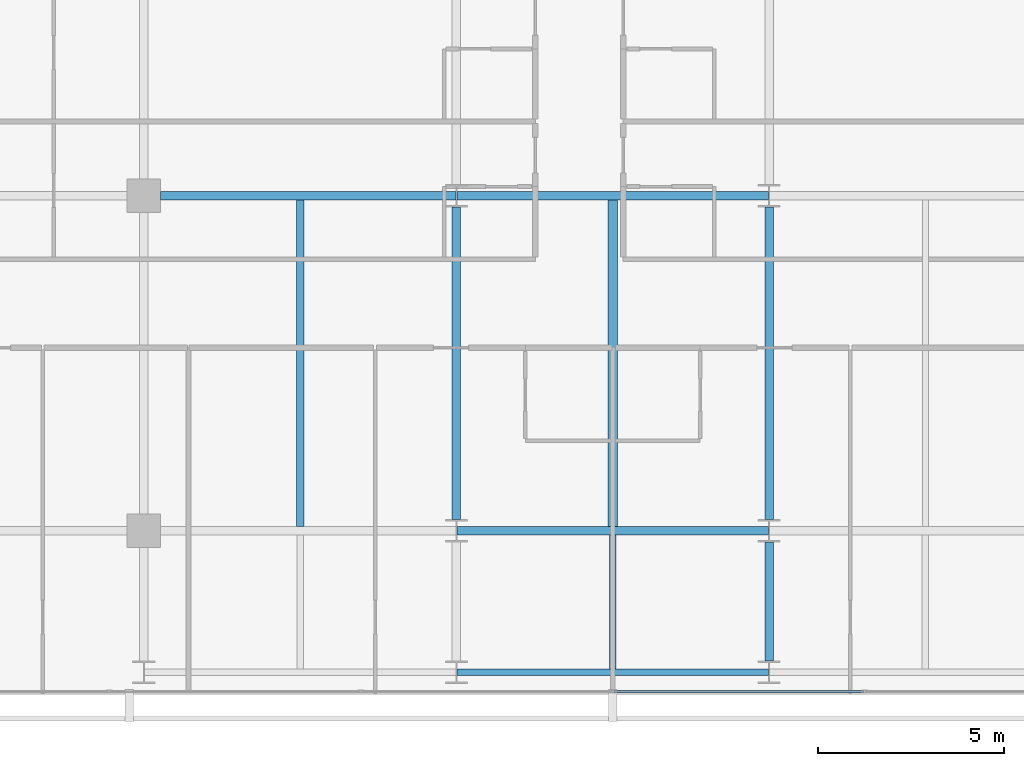
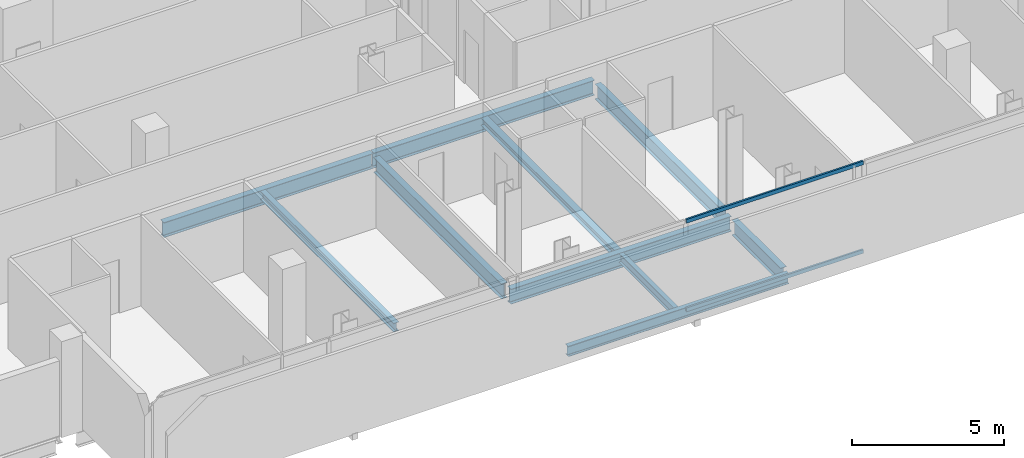
# One storey, part 7 of 34: 10 beams, 2 members, 1 element without a shape of its own.
"""IFC4 building model written with IfcOpenShell, lengths in metres."""

from ifc_helpers import new_model, si_unit, direction, frame, origin, origin_2d, place, context, subcontext, project, spatial, hollow_rectangle, i_section, extrude, material, layer, layer_set, material_profile, profile_set, type_object, element, aggregate, save


model = new_model("IFC4")

# Units and contexts
model_context = context("Model", 3, precision=1e-05, world=origin(), true_north=direction((0.0, 1.0)))
body_context = subcontext(model_context, "Body", "Model", "MODEL_VIEW")
ifc_project = project(units=[si_unit("LENGTHUNIT", "METRE"), si_unit("AREAUNIT", "SQUARE_METRE"), si_unit("VOLUMEUNIT", "CUBIC_METRE"), si_unit("PLANEANGLEUNIT", "RADIAN"), si_unit("MASSUNIT", "GRAM", prefix="KILO")], contexts=[model_context])

# Site, building, storey
site_placement = place(None, origin())
site = spatial("IfcSite", under=ifc_project, at=site_placement, CompositionType="ELEMENT")
building_placement = place(site_placement, origin())
building = spatial("IfcBuilding", under=site, at=building_placement, Name="Maruvema Waterfront Hotel and Observation Tower", CompositionType="ELEMENT")
storey_placement = place(building_placement, frame((0.0, 0.0, 185.14990234375)))
storey = spatial("IfcBuildingStorey", under=building, at=storey_placement, Name="L45", CompositionType="ELEMENT", Elevation=185.14990234375)

# Curtain wall, members
ifc_material_1 = material(Name="Anodised bronze aluminium and solar-control low-E IGU", Category="aluminium")
ifc_layer = layer(ifc_material_1, 0.159912109375, Name="Zone 2 Amber Inner Thermal Curtain Wall System CW-03")
ifc_layer_set = layer_set([ifc_layer], Name="Anodised bronze aluminium and solar-control low-E IGU")
curtain_wall_type = type_object("IfcCurtainWallType", Name="Zone 2 Amber Inner Thermal Curtain Wall System CW-03", PredefinedType="USERDEFINED", material=ifc_layer_set)
curtain_wall_placement = place(storey_placement, origin())
curtain_wall = element("IfcCurtainWall", 1, at=curtain_wall_placement, inside=storey, type_object=curtain_wall_type, Name="L45 Curtain Wall CW-L45-S", ObjectType="UNITISED CURTAIN WALL", PredefinedType="USERDEFINED")
ifc_material_2 = material(Name="Anodised architectural bronze aluminium", Category="aluminium")
ifc_material_profile_1 = material_profile(ifc_material_2, hollow_rectangle(XDim=0.070068359375, YDim=0.14990234375, WallThickness=0.00390625, at=origin_2d()), Name="ALU-T70x150")
ifc_profile_set_1 = profile_set([ifc_material_profile_1], Name="Anodised architectural bronze aluminium")
member_type = type_object("IfcMemberType", Name="Curtain Wall Horizontal Transom ALU-T70x150", PredefinedType="USERDEFINED", material=ifc_profile_set_1)
member_1_placement = place(storey_placement, frame((37.830078125, 4.679931640625, 0.030029296875), z_axis=(1.0, 0.0, 0.0), x_axis=(0.0, 1.0, 0.0)))
member_1 = element("IfcMember", 2, at=member_1_placement, type_object=member_type, Name="CW-03 transom 4.1", ObjectType="TRANSOM", PredefinedType="USERDEFINED", context=body_context, shape_type="SweptSolid", body=[
    extrude(hollow_rectangle(XDim=0.070068359375, YDim=0.14990234375, WallThickness=0.00390625, at=origin_2d()), origin(), (0.0, 0.0, 1.0), 6.70654296875),
])
member_2_placement = place(storey_placement, frame((37.830078125, 4.679931640625, 3.580078125), z_axis=(1.0, 0.0, 0.0), x_axis=(0.0, 1.0, 0.0)))
member_2 = element("IfcMember", 3, at=member_2_placement, type_object=member_type, Name="CW-03 transom 4.2", ObjectType="TRANSOM", PredefinedType="USERDEFINED", context=body_context, shape_type="SweptSolid", body=[
    extrude(hollow_rectangle(XDim=0.070068359375, YDim=0.14990234375, WallThickness=0.00390625, at=origin_2d()), origin(), (0.0, 0.0, 1.0), 6.70654296875),
])
aggregate(curtain_wall, [member_1, member_2])

# Beams
ifc_material_3 = material(Name="Steel ASTM A572 Grade 50", Category="steel")
ifc_material_profile_2 = material_profile(ifc_material_3, i_section(OverallWidth=0.180908203125, OverallDepth=0.4169921875, WebThickness=0.010986328125, FlangeThickness=0.018310546875, FilletRadius=0.014892578125, at=origin_2d()), Name="W410x85.0")
ifc_profile_set_2 = profile_set([ifc_material_profile_2], Name="Steel ASTM A572 Grade 50")
beam_type_1 = type_object("IfcBeamType", Name="Perimeter Spandrel Beam W410x85.0", PredefinedType="SPANDREL", material=ifc_profile_set_2)
beam_1_placement = place(storey_placement, frame((33.612548828125, 5.199951171875, -0.448486328125), z_axis=(1.0, 0.0, 0.0), x_axis=(0.0, 1.0, 0.0)))
element("IfcBeam", 4, at=beam_1_placement, inside=storey, type_object=beam_type_1, Name="L45 Floor Girder EW-02", PredefinedType="SPANDREL", context=body_context, shape_type="SweptSolid", body=[
    extrude(i_section(OverallWidth=0.180908203125, OverallDepth=0.4169921875, WebThickness=0.010986328125, FlangeThickness=0.018310546875, FilletRadius=0.014892578125, at=origin_2d()), origin(), (0.0, 0.0, 1.0), 8.375),
])
ifc_material_4 = material(Name="Steel ASTM A572 Grade 50", Category="steel")
ifc_material_profile_3 = material_profile(ifc_material_4, i_section(OverallWidth=0.22802734375, OverallDepth=0.60302734375, WebThickness=0.010498046875, FlangeThickness=0.014892578125, FilletRadius=0.01806640625, at=origin_2d()), Name="W610x101.0")
ifc_profile_set_3 = profile_set([ifc_material_profile_3], Name="Steel ASTM A572 Grade 50")
beam_type_2 = type_object("IfcBeamType", Name="Primary Floor Girder W610x101.0", PredefinedType="BEAM", material=ifc_profile_set_3)
beam_2_placement = place(storey_placement, frame((33.612548828125, 9.0, -0.54150390625), z_axis=(1.0, 0.0, 0.0), x_axis=(0.0, 1.0, 0.0)))
element("IfcBeam", 5, at=beam_2_placement, inside=storey, type_object=beam_type_2, Name="L45 Floor Girder EW-07", PredefinedType="BEAM", context=body_context, shape_type="SweptSolid", body=[
    extrude(i_section(OverallWidth=0.22802734375, OverallDepth=0.60302734375, WebThickness=0.010498046875, FlangeThickness=0.014892578125, FilletRadius=0.01806640625, at=origin_2d()), origin(), (0.0, 0.0, 1.0), 8.375),
])
beam_3_placement = place(storey_placement, frame((25.64990234375, 18.0, -0.54150390625), z_axis=(1.0, 0.0, 0.0), x_axis=(0.0, 1.0, 0.0)))
element("IfcBeam", 6, at=beam_3_placement, inside=storey, type_object=beam_type_2, Name="L45 Floor Girder EW-13", PredefinedType="BEAM", context=body_context, shape_type="SweptSolid", body=[
    extrude(i_section(OverallWidth=0.22802734375, OverallDepth=0.60302734375, WebThickness=0.010498046875, FlangeThickness=0.014892578125, FilletRadius=0.01806640625, at=origin_2d()), origin(), (0.0, 0.0, 1.0), 7.9375),
])
beam_4_placement = place(storey_placement, frame((33.612548828125, 18.0, -0.54150390625), z_axis=(1.0, 0.0, 0.0), x_axis=(0.0, 1.0, 0.0)))
element("IfcBeam", 7, at=beam_4_placement, inside=storey, type_object=beam_type_2, Name="L45 Floor Girder EW-14", PredefinedType="BEAM", context=body_context, shape_type="SweptSolid", body=[
    extrude(i_section(OverallWidth=0.22802734375, OverallDepth=0.60302734375, WebThickness=0.010498046875, FlangeThickness=0.014892578125, FilletRadius=0.01806640625, at=origin_2d()), origin(), (0.0, 0.0, 1.0), 8.375),
])
beam_5_placement = place(storey_placement, frame((33.60009765625, 9.300048828125, -0.54150390625), z_axis=(0.0, 1.0, 0.0), x_axis=(-1.0, 0.0, 0.0)))
element("IfcBeam", 8, at=beam_5_placement, inside=storey, type_object=beam_type_2, Name="L45 Floor Girder NS-15", PredefinedType="BEAM", context=body_context, shape_type="SweptSolid", body=[
    extrude(i_section(OverallWidth=0.22802734375, OverallDepth=0.60302734375, WebThickness=0.010498046875, FlangeThickness=0.014892578125, FilletRadius=0.01806640625, at=origin_2d()), origin(), (0.0, 0.0, 1.0), 8.39990234375),
])
beam_6_placement = place(storey_placement, frame((42.0, 5.5, -0.54150390625), z_axis=(0.0, 1.0, 0.0), x_axis=(-1.0, 0.0, 0.0)))
element("IfcBeam", 9, at=beam_6_placement, inside=storey, type_object=beam_type_2, Name="L45 Floor Girder NS-17", PredefinedType="BEAM", context=body_context, shape_type="SweptSolid", body=[
    extrude(i_section(OverallWidth=0.22802734375, OverallDepth=0.60302734375, WebThickness=0.010498046875, FlangeThickness=0.014892578125, FilletRadius=0.01806640625, at=origin_2d()), origin(), (0.0, 0.0, 1.0), 3.199951171875),
])
beam_7_placement = place(storey_placement, frame((42.0, 9.300048828125, -0.54150390625), z_axis=(0.0, 1.0, 0.0), x_axis=(-1.0, 0.0, 0.0)))
element("IfcBeam", 10, at=beam_7_placement, inside=storey, type_object=beam_type_2, Name="L45 Floor Girder NS-18", PredefinedType="BEAM", context=body_context, shape_type="SweptSolid", body=[
    extrude(i_section(OverallWidth=0.22802734375, OverallDepth=0.60302734375, WebThickness=0.010498046875, FlangeThickness=0.014892578125, FilletRadius=0.01806640625, at=origin_2d()), origin(), (0.0, 0.0, 1.0), 8.39990234375),
])
ifc_material_5 = material(Name="Steel ASTM A572 Grade 50", Category="steel")
ifc_material_profile_4 = material_profile(ifc_material_5, i_section(OverallWidth=0.25390625, OverallDepth=0.305908203125, WebThickness=0.0087890625, FlangeThickness=0.0146484375, FilletRadius=0.014892578125, at=origin_2d()), Name="W310x79.0")
ifc_profile_set_4 = profile_set([ifc_material_profile_4], Name="Steel ASTM A572 Grade 50")
beam_type_3 = type_object("IfcBeamType", Name="Secondary Floor Joist W310x79.0", PredefinedType="JOIST", material=ifc_profile_set_4)
beam_8_placement = place(storey_placement, frame((37.800048828125, 9.114013671875, -0.392822265625), z_axis=(0.0, 1.0, 0.0), x_axis=(-1.0, 0.0, 0.0)))
element("IfcBeam", 11, at=beam_8_placement, inside=storey, type_object=beam_type_3, Name="L45 Secondary Floor Joist JS-08", PredefinedType="JOIST", context=body_context, shape_type="SweptSolid", body=[
    extrude(i_section(OverallWidth=0.25390625, OverallDepth=0.305908203125, WebThickness=0.0087890625, FlangeThickness=0.0146484375, FilletRadius=0.014892578125, at=origin_2d()), origin(), (0.0, 0.0, 1.0), 8.77197265625),
])
ifc_material_6 = material(Name="Steel ASTM A572 Grade 50", Category="steel")
ifc_material_profile_5 = material_profile(ifc_material_6, i_section(OverallWidth=0.1708984375, OverallDepth=0.35498046875, WebThickness=0.007080078125, FlangeThickness=0.01171875, FilletRadius=0.014892578125, at=origin_2d()), Name="W360x51.0")
ifc_profile_set_5 = profile_set([ifc_material_profile_5], Name="Steel ASTM A572 Grade 50")
beam_type_4 = type_object("IfcBeamType", Name="Secondary Floor Joist W360x51.0", PredefinedType="JOIST", material=ifc_profile_set_5)
beam_9_placement = place(storey_placement, frame((37.800048828125, 5.29052734375, -0.41748046875), z_axis=(0.0, 1.0, 0.0), x_axis=(-1.0, 0.0, 0.0)))
element("IfcBeam", 12, at=beam_9_placement, inside=storey, type_object=beam_type_4, Name="L45 Secondary Floor Joist JS-07", PredefinedType="JOIST", context=body_context, shape_type="SweptSolid", body=[
    extrude(i_section(OverallWidth=0.1708984375, OverallDepth=0.35498046875, WebThickness=0.007080078125, FlangeThickness=0.01171875, FilletRadius=0.014892578125, at=origin_2d()), origin(), (0.0, 0.0, 1.0), 3.595458984375),
])
ifc_material_7 = material(Name="Steel ASTM A572 Grade 50", Category="steel")
ifc_material_profile_6 = material_profile(ifc_material_7, i_section(OverallWidth=0.202880859375, OverallDepth=0.346923828125, WebThickness=0.0078125, FlangeThickness=0.013427734375, FilletRadius=0.014892578125, at=origin_2d()), Name="W360x64.0")
ifc_profile_set_6 = profile_set([ifc_material_profile_6], Name="Steel ASTM A572 Grade 50")
beam_type_5 = type_object("IfcBeamType", Name="Secondary Floor Joist W360x64.0", PredefinedType="JOIST", material=ifc_profile_set_6)
beam_10_placement = place(storey_placement, frame((29.39990234375, 9.114013671875, -0.413330078125), z_axis=(0.0, 1.0, 0.0), x_axis=(-1.0, 0.0, 0.0)))
element("IfcBeam", 13, at=beam_10_placement, inside=storey, type_object=beam_type_5, Name="L45 Secondary Floor Joist JS-06", PredefinedType="JOIST", context=body_context, shape_type="SweptSolid", body=[
    extrude(i_section(OverallWidth=0.202880859375, OverallDepth=0.346923828125, WebThickness=0.0078125, FlangeThickness=0.013427734375, FilletRadius=0.014892578125, at=origin_2d()), origin(), (0.0, 0.0, 1.0), 8.77197265625),
])

save(model, "model.ifc")
